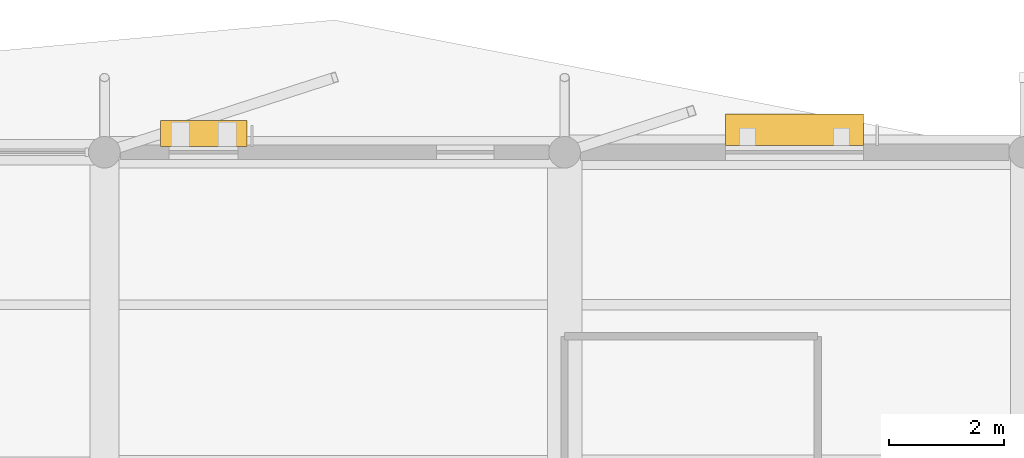
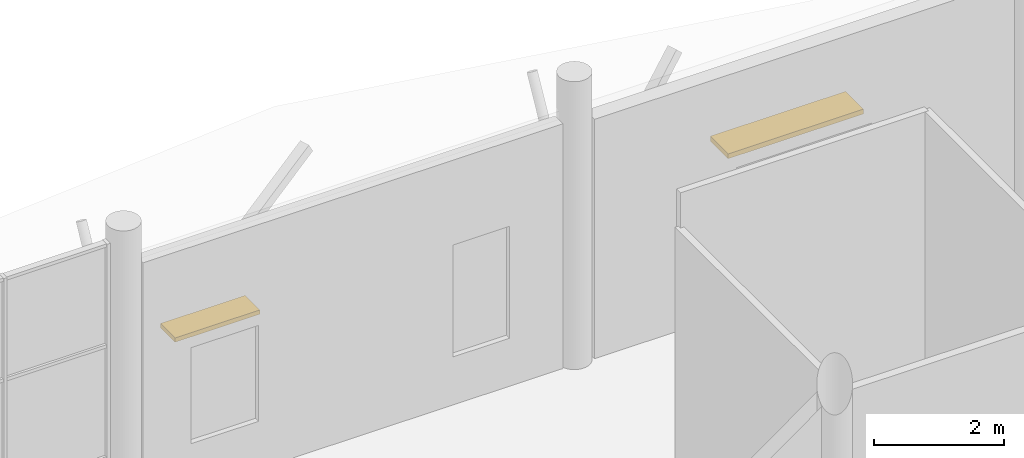
# One storey, part 122 of 122: 2 shading devices.
"""IFC4 building model written with IfcOpenShell, lengths in metres."""

import ifcopenshell
import ifcopenshell.guid

model = None  # the IFC model being written
_history = None  # IfcOwnerHistory: only IFC2X3 demands one
_inside = {}  # id of a spatial element -> (the spatial element, [elements in it])
_under = {}  # id of a project, library or spatial element -> (it, [spatial elements below it])
_declared = {}  # id of a project -> (the project, [libraries it declares])
_typed = {}  # id of a type object -> (the type object, [elements of that type])
_made_of = {}  # id of a material, layer set ... -> (it, [elements and type objects made of it])


def new_model(schema):
    """Start an empty IFC model of exactly this schema.

    Asked for "IFC4X3", IfcOpenShell would pick the latest addendum, in which some entities
    have other attributes; the version numbers below select the first issue.
    IFC2X3 requires an IfcOwnerHistory on every rooted entity: one is made here for all.
    """
    global model, _history
    if schema == "IFC4X3":
        model = ifcopenshell.file(schema_version=(4, 3, 0, 0))
    else:
        model = ifcopenshell.file(schema=schema)
    _inside.clear()
    _under.clear()
    _declared.clear()
    _typed.clear()
    _made_of.clear()
    _history = None
    if model.schema == "IFC2X3":
        org = make("IfcOrganization", Name="unknown")
        user = make(
            "IfcPersonAndOrganization",
            ThePerson=make("IfcPerson", FamilyName="unknown"),
            TheOrganization=org,
        )
        app = make(
            "IfcApplication",
            ApplicationDeveloper=org,
            Version="unknown",
            ApplicationFullName="unknown",
            ApplicationIdentifier="unknown",
        )
        _history = make(
            "IfcOwnerHistory",
            OwningUser=user,
            OwningApplication=app,
            ChangeAction="ADDED",
            CreationDate=0,
        )
    return model


def make(cls, **values):
    """One entity of the class cls with the attributes given. An attribute that is None is left unset."""
    return model.create_entity(
        cls, **{name: value for name, value in values.items() if value is not None}
    )


def rooted(cls, **values):
    """An entity with a GlobalId (a new one), such as an element, a storey or a relation."""
    return make(cls, GlobalId=ifcopenshell.guid.new(), OwnerHistory=_history, **values)


def si_unit(unit_type, name, prefix=None):
    """IfcSIUnit, for example si_unit("LENGTHUNIT", "METRE", prefix="MILLI")."""
    return make("IfcSIUnit", UnitType=unit_type, Prefix=prefix, Name=name)


def assignment(units):
    """IfcUnitAssignment: the units of a project."""
    return None if units is None else make("IfcUnitAssignment", Units=units)


def point(xyz):
    """IfcCartesianPoint."""
    return None if xyz is None else make("IfcCartesianPoint", Coordinates=xyz)


def direction(xyz):
    """IfcDirection."""
    return None if xyz is None else make("IfcDirection", DirectionRatios=xyz)


def frame(location, z_axis=None, x_axis=None):
    """IfcAxis2Placement3D, a coordinate frame: its origin and axes. An axis left out is left unset."""
    return make(
        "IfcAxis2Placement3D",
        Location=point(location),
        Axis=direction(z_axis),
        RefDirection=direction(x_axis),
    )


def frame_2d(location, x_axis=None):
    """IfcAxis2Placement2D, a coordinate frame in the plane: its origin and x axis."""
    return make(
        "IfcAxis2Placement2D", Location=point(location), RefDirection=direction(x_axis)
    )


def origin():
    """The frame at (0, 0, 0) with its axes left unset."""
    return frame((0.0, 0.0, 0.0))


def origin_2d():
    """The frame at (0, 0) in the plane with its x axis left unset."""
    return frame_2d((0.0, 0.0))


def place(relative_to, where):
    """IfcLocalPlacement: puts the frame where relative to a parent placement (None: the world)."""
    return make(
        "IfcLocalPlacement", PlacementRelTo=relative_to, RelativePlacement=where
    )


def context(
    kind, dimensions, precision=None, world=None, true_north=None, identifier=None
):
    """IfcGeometricRepresentationContext, for example the 3D "Model" context."""
    return make(
        "IfcGeometricRepresentationContext",
        ContextIdentifier=identifier,
        ContextType=kind,
        CoordinateSpaceDimension=dimensions,
        Precision=precision,
        WorldCoordinateSystem=world,
        TrueNorth=true_north,
    )


def subcontext(parent, identifier, kind, view, scale=None):
    """IfcGeometricRepresentationSubContext, for example "Body" below "Model"."""
    return make(
        "IfcGeometricRepresentationSubContext",
        ContextIdentifier=identifier,
        ContextType=kind,
        ParentContext=parent,
        TargetScale=scale,
        TargetView=view,
    )


def project(units=None, contexts=None):
    """IfcProject with its units and contexts."""
    return rooted(
        "IfcProject",
        Name="project",
        RepresentationContexts=contexts,
        UnitsInContext=assignment(units),
    )


def spatial(cls, under=None, at=None, **own):
    """A site, building, storey or space (cls), placed at a placement, below another one or the project."""
    s = rooted(cls, ObjectPlacement=at, **own)
    if under is not None:
        _under.setdefault(under.id(), (under, []))[1].append(s)
    return s


def profile(cls, at=None, kind="AREA", **sizes):
    """A parametric profile (cls). Its sizes go by their IFC names, for example OverallWidth=200.0."""
    return make(cls, ProfileType=kind, Position=at, **sizes)


def rectangle(**sizes):
    """IfcRectangleProfileDef."""
    return profile("IfcRectangleProfileDef", **sizes)


def extrude(swept, where, along, depth):
    """IfcExtrudedAreaSolid: the profile swept, set in the frame where, extruded along a direction by depth."""
    return make(
        "IfcExtrudedAreaSolid",
        SweptArea=swept,
        Position=where,
        ExtrudedDirection=direction(along),
        Depth=depth,
    )


def shape(context_of_items, identifier, shape_type, items):
    """IfcShapeRepresentation: the items that make up one representation, for example the "Body"."""
    return make(
        "IfcShapeRepresentation",
        ContextOfItems=context_of_items,
        RepresentationIdentifier=identifier,
        RepresentationType=shape_type,
        Items=items,
    )


def material(Name=None, Category=None):
    """IfcMaterial."""
    return make("IfcMaterial", Name=Name, Category=Category)


def made_of(thing, what):
    """Note that an element or type object is made of a material, layer set ...; save() writes the relation."""
    if what is not None:
        _made_of.setdefault(what.id(), (what, []))[1].append(thing)
    return thing


def type_object(cls, material=None, **own):
    """A type object (cls), such as IfcWallType, which elements share."""
    return made_of(rooted(cls, **own), material)


def element(
    cls,
    number,
    at=None,
    inside=None,
    cuts=None,
    type_object=None,
    material=None,
    context=None,
    identifier="Body",
    shape_type=None,
    held_by="IfcProductDefinitionShape",
    body=None,
    shapes=None,
    **own,
):
    """One element of the class cls, such as IfcWall. Its Tag is "e" and its number.

    at: its placement. inside: the storey or other place that contains it. cuts: it is an
    opening in that element (IfcRelVoidsElement). A single representation is given by context,
    identifier, shape_type and body (its items); several are given by shapes. held_by: the class
    of the entity that holds the representations. save() writes the other relations.
    """
    e = rooted(cls, Tag="e%d" % number, ObjectPlacement=at, **own)
    if body is not None:
        shapes = [shape(context, identifier, shape_type, body)]
    if shapes is not None:
        e.Representation = make(held_by, Representations=shapes)
    if inside is not None:
        _inside.setdefault(inside.id(), (inside, []))[1].append(e)
    if cuts is not None:
        rooted(
            "IfcRelVoidsElement", RelatingBuildingElement=cuts, RelatedOpeningElement=e
        )
    if type_object is not None:
        _typed.setdefault(type_object.id(), (type_object, []))[1].append(e)
    return made_of(e, material)


def aggregate(whole, parts):
    """IfcRelAggregates: a whole, such as a stair, and the parts it consists of."""
    return rooted("IfcRelAggregates", RelatingObject=whole, RelatedObjects=parts)


def save(model, path):
    """Write the relations noted so far, then the file.

    IfcRelAggregates (storeys below a building ...), IfcRelContainedInSpatialStructure (elements
    in a storey), IfcRelDefinesByType, IfcRelAssociatesMaterial and IfcRelDeclares: one each for
    every whole, place, type object, material and project.
    """
    for whole, parts in _under.values():
        aggregate(whole, parts)
    for where, things in _inside.values():
        rooted(
            "IfcRelContainedInSpatialStructure",
            RelatedElements=things,
            RelatingStructure=where,
        )
    for kind, things in _typed.values():
        rooted("IfcRelDefinesByType", RelatedObjects=things, RelatingType=kind)
    for what, things in _made_of.values():
        rooted("IfcRelAssociatesMaterial", RelatedObjects=things, RelatingMaterial=what)
    for by, libraries in _declared.values():
        rooted("IfcRelDeclares", RelatingContext=by, RelatedDefinitions=libraries)
    model.write(path)


model = new_model("IFC4")

# Units and contexts
model_context = context("Model", 3, precision=1e-05, world=origin(), true_north=direction((0.0, 1.0)))
body_context = subcontext(model_context, "Body", "Model", "MODEL_VIEW")
ifc_project = project(units=[si_unit("LENGTHUNIT", "METRE"), si_unit("AREAUNIT", "SQUARE_METRE"), si_unit("VOLUMEUNIT", "CUBIC_METRE"), si_unit("PLANEANGLEUNIT", "RADIAN"), si_unit("MASSUNIT", "GRAM", prefix="KILO")], contexts=[model_context])

# Site, building, storey
site_placement = place(None, origin())
site = spatial("IfcSite", under=ifc_project, at=site_placement, CompositionType="ELEMENT")
building_placement = place(site_placement, origin())
building = spatial("IfcBuilding", under=site, at=building_placement, Name="Tenunan Teduh Sports Hall", CompositionType="ELEMENT")
storey_placement = place(building_placement, frame((0.0, 0.0, 5.39990234375)))
storey = spatial("IfcBuildingStorey", under=building, at=storey_placement, Name="L01", CompositionType="ELEMENT", Elevation=5.39990234375)

# Shading devices
ifc_material_1 = material(Name="Perforated anodised aluminium", Category="aluminium")
shading_device_type_1 = type_object("IfcShadingDeviceType", Name="SHD-LOUVRE-1", PredefinedType="AWNING", material=ifc_material_1)
shading_device_1_placement = place(storey_placement, frame((139.72509765625, 118.324951171875, 2.719970703125), z_axis=(0.0, 0.0, 1.0), x_axis=(1.0, 0.0, 0.0)))
element("IfcShadingDevice", 1, at=shading_device_1_placement, inside=storey, type_object=shading_device_type_1, Name="SHD-L01-087", PredefinedType="AWNING", context=body_context, shape_type="SweptSolid", body=[
    extrude(rectangle(XDim=1.5, YDim=0.449951171875, at=origin_2d()), origin(), (0.0, 0.0, 1.0), 0.080078125),
])
ifc_material_2 = material(Name="Perforated anodised aluminium", Category="aluminium")
shading_device_type_2 = type_object("IfcShadingDeviceType", Name="SHD-LOUVRE-2", PredefinedType="SHUTTER", material=ifc_material_2)
shading_device_2_placement = place(storey_placement, frame((149.9951171875, 118.389892578125, 2.71484375), z_axis=(0.0, 0.0, 1.0), x_axis=(1.0, 0.0, 0.0)))
element("IfcShadingDevice", 2, at=shading_device_2_placement, inside=storey, type_object=shading_device_type_2, Name="SHD-L01-088", PredefinedType="SHUTTER", context=body_context, shape_type="SweptSolid", body=[
    extrude(rectangle(XDim=2.39990234375, YDim=0.550048828125, at=origin_2d()), origin(), (0.0, 0.0, 1.0), 0.090087890625),
])

save(model, "model.ifc")
